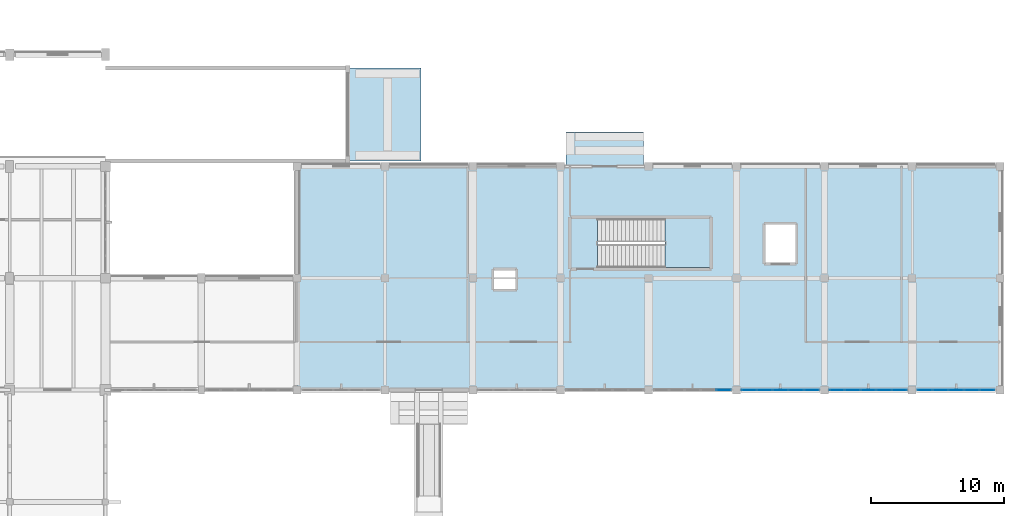
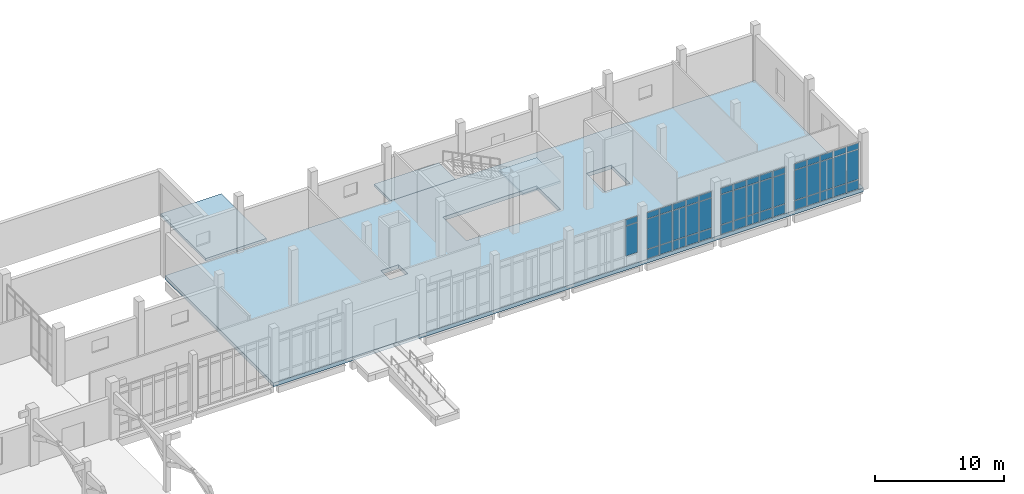
# One storey, part 87 of 110: 47 plates, 4 slabs, 5 elements without a shape of their own.
"""IFC4 building model written with IfcOpenShell, lengths in metres."""

from ifc_helpers import new_model, si_unit, direction, frame, origin, origin_2d, place, context, subcontext, project, spatial, polyline, rectangle, outline, extrude, material, layer, layer_set, type_object, element, aggregate, save


model = new_model("IFC4")

# Units and contexts
model_context = context("Model", 3, precision=1e-05, world=origin(), true_north=direction((0.0, 1.0)))
body_context = subcontext(model_context, "Body", "Model", "MODEL_VIEW")
ifc_project = project(units=[si_unit("LENGTHUNIT", "METRE"), si_unit("AREAUNIT", "SQUARE_METRE"), si_unit("VOLUMEUNIT", "CUBIC_METRE"), si_unit("PLANEANGLEUNIT", "RADIAN"), si_unit("MASSUNIT", "GRAM", prefix="KILO")], contexts=[model_context])

# Site, building, storey
site_placement = place(None, origin())
site = spatial("IfcSite", under=ifc_project, at=site_placement, CompositionType="ELEMENT")
building_placement = place(site_placement, origin())
building = spatial("IfcBuilding", under=site, at=building_placement, Name="Kalluvel Institute of Natural Sciences", CompositionType="ELEMENT")
storey_placement = place(building_placement, origin())
storey = spatial("IfcBuildingStorey", under=building, at=storey_placement, Name="L00", CompositionType="ELEMENT", Elevation=0.0)

# Curtain wall, plates
ifc_material_1 = material(Name="Aluminium AW-6063 T6", Category="aluminium")
curtain_wall_type = type_object("IfcCurtainWallType", Name="CW-CLN-54", PredefinedType="USERDEFINED", material=ifc_material_1)
curtain_wall_1_placement = place(storey_placement, origin())
curtain_wall_1 = element("IfcCurtainWall", 1, at=curtain_wall_1_placement, inside=storey, type_object=curtain_wall_type, Name="L00 Gothic lancet curtain wall CWA-L00-X1560-Y1028", ObjectType="UNITISED LANCET FACADE", PredefinedType="USERDEFINED")
ifc_material_2 = material(Name="Solar-Control Low-E Laminated Glass", Category="glass")
ifc_layer_1 = layer(ifc_material_2, 0.028076171875)
ifc_layer_set_1 = layer_set([ifc_layer_1], Name="Solar-Control Low-E Laminated Glass")
plate_type = type_object("IfcPlateType", Name="CWP-DGU-28", PredefinedType="CURTAIN_PANEL", material=ifc_layer_set_1)
plate_1_placement = place(storey_placement, frame((161.24365234375, 102.800048828125, 0.982421875), z_axis=(0.0, 0.0, 1.0), x_axis=(1.0, 0.0, 0.0)))
plate_1 = element("IfcPlate", 2, at=plate_1_placement, type_object=plate_type, Name="CW-09 panel 5.2", PredefinedType="CURTAIN_PANEL", context=body_context, shape_type="SweptSolid", body=[
    extrude(rectangle(XDim=1.08251953125, YDim=0.028076171875, at=origin_2d()), origin(), (0.0, 0.0, 1.0), 2.81494140625),
])
plate_2_placement = place(storey_placement, frame((161.24365234375, 102.800048828125, 3.8623046875), z_axis=(0.0, 0.0, 1.0), x_axis=(1.0, 0.0, 0.0)))
plate_2 = element("IfcPlate", 3, at=plate_2_placement, type_object=plate_type, Name="CW-09 panel 5.3", PredefinedType="CURTAIN_PANEL", context=body_context, shape_type="SweptSolid", body=[
    extrude(rectangle(XDim=1.08251953125, YDim=0.028076171875, at=origin_2d()), origin(), (0.0, 0.0, 1.0), 0.552490234375),
])
aggregate(curtain_wall_1, [plate_1, plate_2])

curtain_wall_2_placement = place(storey_placement, origin())
curtain_wall_2 = element("IfcCurtainWall", 4, at=curtain_wall_2_placement, inside=storey, type_object=curtain_wall_type, Name="L00 Gothic lancet curtain wall CWA-L00-X1626-Y1028", ObjectType="UNITISED LANCET FACADE", PredefinedType="USERDEFINED")
plate_3_placement = place(storey_placement, frame((163.15625, 102.800048828125, 0.06494140625), z_axis=(0.0, 0.0, 1.0), x_axis=(1.0, 0.0, 0.0)))
plate_3 = element("IfcPlate", 5, at=plate_3_placement, type_object=plate_type, Name="CW-09 panel 1.1", PredefinedType="CURTAIN_PANEL", context=body_context, shape_type="SweptSolid", body=[
    extrude(rectangle(XDim=1.08251953125, YDim=0.028076171875, at=origin_2d()), origin(), (0.0, 0.0, 1.0), 0.8525390625),
])
plate_4_placement = place(storey_placement, frame((163.15625, 102.800048828125, 0.982421875), z_axis=(0.0, 0.0, 1.0), x_axis=(1.0, 0.0, 0.0)))
plate_4 = element("IfcPlate", 6, at=plate_4_placement, type_object=plate_type, Name="CW-09 panel 1.2", PredefinedType="CURTAIN_PANEL", context=body_context, shape_type="SweptSolid", body=[
    extrude(rectangle(XDim=1.08251953125, YDim=0.028076171875, at=origin_2d()), origin(), (0.0, 0.0, 1.0), 2.81494140625),
])
plate_5_placement = place(storey_placement, frame((163.15625, 102.800048828125, 3.8623046875), z_axis=(0.0, 0.0, 1.0), x_axis=(1.0, 0.0, 0.0)))
plate_5 = element("IfcPlate", 7, at=plate_5_placement, type_object=plate_type, Name="CW-09 panel 1.3", PredefinedType="CURTAIN_PANEL", context=body_context, shape_type="SweptSolid", body=[
    extrude(rectangle(XDim=1.08251953125, YDim=0.028076171875, at=origin_2d()), origin(), (0.0, 0.0, 1.0), 0.552490234375),
])
plate_6_placement = place(storey_placement, frame((164.320068359375, 102.800048828125, 0.06494140625), z_axis=(0.0, 0.0, 1.0), x_axis=(1.0, 0.0, 0.0)))
plate_6 = element("IfcPlate", 8, at=plate_6_placement, type_object=plate_type, Name="CW-09 panel 2.1", PredefinedType="CURTAIN_PANEL", context=body_context, shape_type="SweptSolid", body=[
    extrude(rectangle(XDim=1.114990234375, YDim=0.028076171875, at=origin_2d()), origin(), (0.0, 0.0, 1.0), 0.8525390625),
])
plate_7_placement = place(storey_placement, frame((164.320068359375, 102.800048828125, 0.982421875), z_axis=(0.0, 0.0, 1.0), x_axis=(1.0, 0.0, 0.0)))
plate_7 = element("IfcPlate", 9, at=plate_7_placement, type_object=plate_type, Name="CW-09 panel 2.2", PredefinedType="CURTAIN_PANEL", context=body_context, shape_type="SweptSolid", body=[
    extrude(rectangle(XDim=1.114990234375, YDim=0.028076171875, at=origin_2d()), origin(), (0.0, 0.0, 1.0), 2.81494140625),
])
plate_8_placement = place(storey_placement, frame((164.320068359375, 102.800048828125, 3.8623046875), z_axis=(0.0, 0.0, 1.0), x_axis=(1.0, 0.0, 0.0)))
plate_8 = element("IfcPlate", 10, at=plate_8_placement, type_object=plate_type, Name="CW-09 panel 2.3", PredefinedType="CURTAIN_PANEL", context=body_context, shape_type="SweptSolid", body=[
    extrude(rectangle(XDim=1.114990234375, YDim=0.028076171875, at=origin_2d()), origin(), (0.0, 0.0, 1.0), 0.552490234375),
])
plate_9_placement = place(storey_placement, frame((165.5, 102.800048828125, 0.06494140625), z_axis=(0.0, 0.0, 1.0), x_axis=(1.0, 0.0, 0.0)))
plate_9 = element("IfcPlate", 11, at=plate_9_placement, type_object=plate_type, Name="CW-09 panel 3.1", PredefinedType="CURTAIN_PANEL", context=body_context, shape_type="SweptSolid", body=[
    extrude(rectangle(XDim=1.114990234375, YDim=0.028076171875, at=origin_2d()), origin(), (0.0, 0.0, 1.0), 0.8525390625),
])
plate_10_placement = place(storey_placement, frame((165.5, 102.800048828125, 0.982421875), z_axis=(0.0, 0.0, 1.0), x_axis=(1.0, 0.0, 0.0)))
plate_10 = element("IfcPlate", 12, at=plate_10_placement, type_object=plate_type, Name="CW-09 panel 3.2", PredefinedType="CURTAIN_PANEL", context=body_context, shape_type="SweptSolid", body=[
    extrude(rectangle(XDim=1.114990234375, YDim=0.028076171875, at=origin_2d()), origin(), (0.0, 0.0, 1.0), 2.81494140625),
])
plate_11_placement = place(storey_placement, frame((165.5, 102.800048828125, 3.8623046875), z_axis=(0.0, 0.0, 1.0), x_axis=(1.0, 0.0, 0.0)))
plate_11 = element("IfcPlate", 13, at=plate_11_placement, type_object=plate_type, Name="CW-09 panel 3.3", PredefinedType="CURTAIN_PANEL", context=body_context, shape_type="SweptSolid", body=[
    extrude(rectangle(XDim=1.114990234375, YDim=0.028076171875, at=origin_2d()), origin(), (0.0, 0.0, 1.0), 0.552490234375),
])
plate_12_placement = place(storey_placement, frame((166.679931640625, 102.800048828125, 0.06494140625), z_axis=(0.0, 0.0, 1.0), x_axis=(1.0, 0.0, 0.0)))
plate_12 = element("IfcPlate", 14, at=plate_12_placement, type_object=plate_type, Name="CW-09 panel 4.1", PredefinedType="CURTAIN_PANEL", context=body_context, shape_type="SweptSolid", body=[
    extrude(rectangle(XDim=1.114990234375, YDim=0.028076171875, at=origin_2d()), origin(), (0.0, 0.0, 1.0), 0.8525390625),
])
plate_13_placement = place(storey_placement, frame((166.679931640625, 102.800048828125, 0.982421875), z_axis=(0.0, 0.0, 1.0), x_axis=(1.0, 0.0, 0.0)))
plate_13 = element("IfcPlate", 15, at=plate_13_placement, type_object=plate_type, Name="CW-09 panel 4.2", PredefinedType="CURTAIN_PANEL", context=body_context, shape_type="SweptSolid", body=[
    extrude(rectangle(XDim=1.114990234375, YDim=0.028076171875, at=origin_2d()), origin(), (0.0, 0.0, 1.0), 2.81494140625),
])
plate_14_placement = place(storey_placement, frame((166.679931640625, 102.800048828125, 3.8623046875), z_axis=(0.0, 0.0, 1.0), x_axis=(1.0, 0.0, 0.0)))
plate_14 = element("IfcPlate", 16, at=plate_14_placement, type_object=plate_type, Name="CW-09 panel 4.3", PredefinedType="CURTAIN_PANEL", context=body_context, shape_type="SweptSolid", body=[
    extrude(rectangle(XDim=1.114990234375, YDim=0.028076171875, at=origin_2d()), origin(), (0.0, 0.0, 1.0), 0.552490234375),
])
plate_15_placement = place(storey_placement, frame((167.84375, 102.800048828125, 0.06494140625), z_axis=(0.0, 0.0, 1.0), x_axis=(1.0, 0.0, 0.0)))
plate_15 = element("IfcPlate", 17, at=plate_15_placement, type_object=plate_type, Name="CW-09 panel 5.1", PredefinedType="CURTAIN_PANEL", context=body_context, shape_type="SweptSolid", body=[
    extrude(rectangle(XDim=1.08251953125, YDim=0.028076171875, at=origin_2d()), origin(), (0.0, 0.0, 1.0), 0.8525390625),
])
plate_16_placement = place(storey_placement, frame((167.84375, 102.800048828125, 0.982421875), z_axis=(0.0, 0.0, 1.0), x_axis=(1.0, 0.0, 0.0)))
plate_16 = element("IfcPlate", 18, at=plate_16_placement, type_object=plate_type, Name="CW-09 panel 5.2", PredefinedType="CURTAIN_PANEL", context=body_context, shape_type="SweptSolid", body=[
    extrude(rectangle(XDim=1.08251953125, YDim=0.028076171875, at=origin_2d()), origin(), (0.0, 0.0, 1.0), 2.81494140625),
])
plate_17_placement = place(storey_placement, frame((167.84375, 102.800048828125, 3.8623046875), z_axis=(0.0, 0.0, 1.0), x_axis=(1.0, 0.0, 0.0)))
plate_17 = element("IfcPlate", 19, at=plate_17_placement, type_object=plate_type, Name="CW-09 panel 5.3", PredefinedType="CURTAIN_PANEL", context=body_context, shape_type="SweptSolid", body=[
    extrude(rectangle(XDim=1.08251953125, YDim=0.028076171875, at=origin_2d()), origin(), (0.0, 0.0, 1.0), 0.552490234375),
])
aggregate(curtain_wall_2, [plate_3, plate_4, plate_5, plate_6, plate_7, plate_8, plate_9, plate_10, plate_11, plate_12, plate_13, plate_14, plate_15, plate_16, plate_17])

curtain_wall_3_placement = place(storey_placement, origin())
curtain_wall_3 = element("IfcCurtainWall", 20, at=curtain_wall_3_placement, inside=storey, type_object=curtain_wall_type, Name="L00 Gothic lancet curtain wall CWA-L00-X1692-Y1028", ObjectType="UNITISED LANCET FACADE", PredefinedType="USERDEFINED")
plate_18_placement = place(storey_placement, frame((169.75634765625, 102.800048828125, 0.06494140625), z_axis=(0.0, 0.0, 1.0), x_axis=(1.0, 0.0, 0.0)))
plate_18 = element("IfcPlate", 21, at=plate_18_placement, type_object=plate_type, Name="CW-09 panel 1.1", PredefinedType="CURTAIN_PANEL", context=body_context, shape_type="SweptSolid", body=[
    extrude(rectangle(XDim=1.08251953125, YDim=0.028076171875, at=origin_2d()), origin(), (0.0, 0.0, 1.0), 0.8525390625),
])
plate_19_placement = place(storey_placement, frame((169.75634765625, 102.800048828125, 0.982421875), z_axis=(0.0, 0.0, 1.0), x_axis=(1.0, 0.0, 0.0)))
plate_19 = element("IfcPlate", 22, at=plate_19_placement, type_object=plate_type, Name="CW-09 panel 1.2", PredefinedType="CURTAIN_PANEL", context=body_context, shape_type="SweptSolid", body=[
    extrude(rectangle(XDim=1.08251953125, YDim=0.028076171875, at=origin_2d()), origin(), (0.0, 0.0, 1.0), 2.81494140625),
])
plate_20_placement = place(storey_placement, frame((169.75634765625, 102.800048828125, 3.8623046875), z_axis=(0.0, 0.0, 1.0), x_axis=(1.0, 0.0, 0.0)))
plate_20 = element("IfcPlate", 23, at=plate_20_placement, type_object=plate_type, Name="CW-09 panel 1.3", PredefinedType="CURTAIN_PANEL", context=body_context, shape_type="SweptSolid", body=[
    extrude(rectangle(XDim=1.08251953125, YDim=0.028076171875, at=origin_2d()), origin(), (0.0, 0.0, 1.0), 0.552490234375),
])
plate_21_placement = place(storey_placement, frame((170.919921875, 102.800048828125, 0.06494140625), z_axis=(0.0, 0.0, 1.0), x_axis=(1.0, 0.0, 0.0)))
plate_21 = element("IfcPlate", 24, at=plate_21_placement, type_object=plate_type, Name="CW-09 panel 2.1", PredefinedType="CURTAIN_PANEL", context=body_context, shape_type="SweptSolid", body=[
    extrude(rectangle(XDim=1.114990234375, YDim=0.028076171875, at=origin_2d()), origin(), (0.0, 0.0, 1.0), 0.8525390625),
])
plate_22_placement = place(storey_placement, frame((170.919921875, 102.800048828125, 0.982421875), z_axis=(0.0, 0.0, 1.0), x_axis=(1.0, 0.0, 0.0)))
plate_22 = element("IfcPlate", 25, at=plate_22_placement, type_object=plate_type, Name="CW-09 panel 2.2", PredefinedType="CURTAIN_PANEL", context=body_context, shape_type="SweptSolid", body=[
    extrude(rectangle(XDim=1.114990234375, YDim=0.028076171875, at=origin_2d()), origin(), (0.0, 0.0, 1.0), 2.81494140625),
])
plate_23_placement = place(storey_placement, frame((170.919921875, 102.800048828125, 3.8623046875), z_axis=(0.0, 0.0, 1.0), x_axis=(1.0, 0.0, 0.0)))
plate_23 = element("IfcPlate", 26, at=plate_23_placement, type_object=plate_type, Name="CW-09 panel 2.3", PredefinedType="CURTAIN_PANEL", context=body_context, shape_type="SweptSolid", body=[
    extrude(rectangle(XDim=1.114990234375, YDim=0.028076171875, at=origin_2d()), origin(), (0.0, 0.0, 1.0), 0.552490234375),
])
plate_24_placement = place(storey_placement, frame((172.10009765625, 102.800048828125, 0.06494140625), z_axis=(0.0, 0.0, 1.0), x_axis=(1.0, 0.0, 0.0)))
plate_24 = element("IfcPlate", 27, at=plate_24_placement, type_object=plate_type, Name="CW-09 panel 3.1", PredefinedType="CURTAIN_PANEL", context=body_context, shape_type="SweptSolid", body=[
    extrude(rectangle(XDim=1.114990234375, YDim=0.028076171875, at=origin_2d()), origin(), (0.0, 0.0, 1.0), 0.8525390625),
])
plate_25_placement = place(storey_placement, frame((172.10009765625, 102.800048828125, 0.982421875), z_axis=(0.0, 0.0, 1.0), x_axis=(1.0, 0.0, 0.0)))
plate_25 = element("IfcPlate", 28, at=plate_25_placement, type_object=plate_type, Name="CW-09 panel 3.2", PredefinedType="CURTAIN_PANEL", context=body_context, shape_type="SweptSolid", body=[
    extrude(rectangle(XDim=1.114990234375, YDim=0.028076171875, at=origin_2d()), origin(), (0.0, 0.0, 1.0), 2.81494140625),
])
plate_26_placement = place(storey_placement, frame((172.10009765625, 102.800048828125, 3.8623046875), z_axis=(0.0, 0.0, 1.0), x_axis=(1.0, 0.0, 0.0)))
plate_26 = element("IfcPlate", 29, at=plate_26_placement, type_object=plate_type, Name="CW-09 panel 3.3", PredefinedType="CURTAIN_PANEL", context=body_context, shape_type="SweptSolid", body=[
    extrude(rectangle(XDim=1.114990234375, YDim=0.028076171875, at=origin_2d()), origin(), (0.0, 0.0, 1.0), 0.552490234375),
])
plate_27_placement = place(storey_placement, frame((173.280029296875, 102.800048828125, 0.06494140625), z_axis=(0.0, 0.0, 1.0), x_axis=(1.0, 0.0, 0.0)))
plate_27 = element("IfcPlate", 30, at=plate_27_placement, type_object=plate_type, Name="CW-09 panel 4.1", PredefinedType="CURTAIN_PANEL", context=body_context, shape_type="SweptSolid", body=[
    extrude(rectangle(XDim=1.114990234375, YDim=0.028076171875, at=origin_2d()), origin(), (0.0, 0.0, 1.0), 0.8525390625),
])
plate_28_placement = place(storey_placement, frame((173.280029296875, 102.800048828125, 0.982421875), z_axis=(0.0, 0.0, 1.0), x_axis=(1.0, 0.0, 0.0)))
plate_28 = element("IfcPlate", 31, at=plate_28_placement, type_object=plate_type, Name="CW-09 panel 4.2", PredefinedType="CURTAIN_PANEL", context=body_context, shape_type="SweptSolid", body=[
    extrude(rectangle(XDim=1.114990234375, YDim=0.028076171875, at=origin_2d()), origin(), (0.0, 0.0, 1.0), 2.81494140625),
])
plate_29_placement = place(storey_placement, frame((173.280029296875, 102.800048828125, 3.8623046875), z_axis=(0.0, 0.0, 1.0), x_axis=(1.0, 0.0, 0.0)))
plate_29 = element("IfcPlate", 32, at=plate_29_placement, type_object=plate_type, Name="CW-09 panel 4.3", PredefinedType="CURTAIN_PANEL", context=body_context, shape_type="SweptSolid", body=[
    extrude(rectangle(XDim=1.114990234375, YDim=0.028076171875, at=origin_2d()), origin(), (0.0, 0.0, 1.0), 0.552490234375),
])
plate_30_placement = place(storey_placement, frame((174.44384765625, 102.800048828125, 0.06494140625), z_axis=(0.0, 0.0, 1.0), x_axis=(1.0, 0.0, 0.0)))
plate_30 = element("IfcPlate", 33, at=plate_30_placement, type_object=plate_type, Name="CW-09 panel 5.1", PredefinedType="CURTAIN_PANEL", context=body_context, shape_type="SweptSolid", body=[
    extrude(rectangle(XDim=1.08251953125, YDim=0.028076171875, at=origin_2d()), origin(), (0.0, 0.0, 1.0), 0.8525390625),
])
plate_31_placement = place(storey_placement, frame((174.44384765625, 102.800048828125, 0.982421875), z_axis=(0.0, 0.0, 1.0), x_axis=(1.0, 0.0, 0.0)))
plate_31 = element("IfcPlate", 34, at=plate_31_placement, type_object=plate_type, Name="CW-09 panel 5.2", PredefinedType="CURTAIN_PANEL", context=body_context, shape_type="SweptSolid", body=[
    extrude(rectangle(XDim=1.08251953125, YDim=0.028076171875, at=origin_2d()), origin(), (0.0, 0.0, 1.0), 2.81494140625),
])
plate_32_placement = place(storey_placement, frame((174.44384765625, 102.800048828125, 3.8623046875), z_axis=(0.0, 0.0, 1.0), x_axis=(1.0, 0.0, 0.0)))
plate_32 = element("IfcPlate", 35, at=plate_32_placement, type_object=plate_type, Name="CW-09 panel 5.3", PredefinedType="CURTAIN_PANEL", context=body_context, shape_type="SweptSolid", body=[
    extrude(rectangle(XDim=1.08251953125, YDim=0.028076171875, at=origin_2d()), origin(), (0.0, 0.0, 1.0), 0.552490234375),
])
aggregate(curtain_wall_3, [plate_18, plate_19, plate_20, plate_21, plate_22, plate_23, plate_24, plate_25, plate_26, plate_27, plate_28, plate_29, plate_30, plate_31, plate_32])

curtain_wall_4_placement = place(storey_placement, origin())
curtain_wall_4 = element("IfcCurtainWall", 36, at=curtain_wall_4_placement, inside=storey, type_object=curtain_wall_type, Name="L00 Gothic lancet curtain wall CWA-L00-X1758-Y1028", ObjectType="UNITISED LANCET FACADE", PredefinedType="USERDEFINED")
plate_33_placement = place(storey_placement, frame((176.356201171875, 102.800048828125, 0.06494140625), z_axis=(0.0, 0.0, 1.0), x_axis=(1.0, 0.0, 0.0)))
plate_33 = element("IfcPlate", 37, at=plate_33_placement, type_object=plate_type, Name="CW-09 panel 1.1", PredefinedType="CURTAIN_PANEL", context=body_context, shape_type="SweptSolid", body=[
    extrude(rectangle(XDim=1.08251953125, YDim=0.028076171875, at=origin_2d()), origin(), (0.0, 0.0, 1.0), 0.8525390625),
])
plate_34_placement = place(storey_placement, frame((176.356201171875, 102.800048828125, 0.982421875), z_axis=(0.0, 0.0, 1.0), x_axis=(1.0, 0.0, 0.0)))
plate_34 = element("IfcPlate", 38, at=plate_34_placement, type_object=plate_type, Name="CW-09 panel 1.2", PredefinedType="CURTAIN_PANEL", context=body_context, shape_type="SweptSolid", body=[
    extrude(rectangle(XDim=1.08251953125, YDim=0.028076171875, at=origin_2d()), origin(), (0.0, 0.0, 1.0), 2.81494140625),
])
plate_35_placement = place(storey_placement, frame((176.356201171875, 102.800048828125, 3.8623046875), z_axis=(0.0, 0.0, 1.0), x_axis=(1.0, 0.0, 0.0)))
plate_35 = element("IfcPlate", 39, at=plate_35_placement, type_object=plate_type, Name="CW-09 panel 1.3", PredefinedType="CURTAIN_PANEL", context=body_context, shape_type="SweptSolid", body=[
    extrude(rectangle(XDim=1.08251953125, YDim=0.028076171875, at=origin_2d()), origin(), (0.0, 0.0, 1.0), 0.552490234375),
])
plate_36_placement = place(storey_placement, frame((177.52001953125, 102.800048828125, 0.06494140625), z_axis=(0.0, 0.0, 1.0), x_axis=(1.0, 0.0, 0.0)))
plate_36 = element("IfcPlate", 40, at=plate_36_placement, type_object=plate_type, Name="CW-09 panel 2.1", PredefinedType="CURTAIN_PANEL", context=body_context, shape_type="SweptSolid", body=[
    extrude(rectangle(XDim=1.114990234375, YDim=0.028076171875, at=origin_2d()), origin(), (0.0, 0.0, 1.0), 0.8525390625),
])
plate_37_placement = place(storey_placement, frame((177.52001953125, 102.800048828125, 0.982421875), z_axis=(0.0, 0.0, 1.0), x_axis=(1.0, 0.0, 0.0)))
plate_37 = element("IfcPlate", 41, at=plate_37_placement, type_object=plate_type, Name="CW-09 panel 2.2", PredefinedType="CURTAIN_PANEL", context=body_context, shape_type="SweptSolid", body=[
    extrude(rectangle(XDim=1.114990234375, YDim=0.028076171875, at=origin_2d()), origin(), (0.0, 0.0, 1.0), 2.81494140625),
])
plate_38_placement = place(storey_placement, frame((177.52001953125, 102.800048828125, 3.8623046875), z_axis=(0.0, 0.0, 1.0), x_axis=(1.0, 0.0, 0.0)))
plate_38 = element("IfcPlate", 42, at=plate_38_placement, type_object=plate_type, Name="CW-09 panel 2.3", PredefinedType="CURTAIN_PANEL", context=body_context, shape_type="SweptSolid", body=[
    extrude(rectangle(XDim=1.114990234375, YDim=0.028076171875, at=origin_2d()), origin(), (0.0, 0.0, 1.0), 0.552490234375),
])
plate_39_placement = place(storey_placement, frame((178.699951171875, 102.800048828125, 0.06494140625), z_axis=(0.0, 0.0, 1.0), x_axis=(1.0, 0.0, 0.0)))
plate_39 = element("IfcPlate", 43, at=plate_39_placement, type_object=plate_type, Name="CW-09 panel 3.1", PredefinedType="CURTAIN_PANEL", context=body_context, shape_type="SweptSolid", body=[
    extrude(rectangle(XDim=1.114990234375, YDim=0.028076171875, at=origin_2d()), origin(), (0.0, 0.0, 1.0), 0.8525390625),
])
plate_40_placement = place(storey_placement, frame((178.699951171875, 102.800048828125, 0.982421875), z_axis=(0.0, 0.0, 1.0), x_axis=(1.0, 0.0, 0.0)))
plate_40 = element("IfcPlate", 44, at=plate_40_placement, type_object=plate_type, Name="CW-09 panel 3.2", PredefinedType="CURTAIN_PANEL", context=body_context, shape_type="SweptSolid", body=[
    extrude(rectangle(XDim=1.114990234375, YDim=0.028076171875, at=origin_2d()), origin(), (0.0, 0.0, 1.0), 2.81494140625),
])
plate_41_placement = place(storey_placement, frame((178.699951171875, 102.800048828125, 3.8623046875), z_axis=(0.0, 0.0, 1.0), x_axis=(1.0, 0.0, 0.0)))
plate_41 = element("IfcPlate", 45, at=plate_41_placement, type_object=plate_type, Name="CW-09 panel 3.3", PredefinedType="CURTAIN_PANEL", context=body_context, shape_type="SweptSolid", body=[
    extrude(rectangle(XDim=1.114990234375, YDim=0.028076171875, at=origin_2d()), origin(), (0.0, 0.0, 1.0), 0.552490234375),
])
plate_42_placement = place(storey_placement, frame((179.8798828125, 102.800048828125, 0.06494140625), z_axis=(0.0, 0.0, 1.0), x_axis=(1.0, 0.0, 0.0)))
plate_42 = element("IfcPlate", 46, at=plate_42_placement, type_object=plate_type, Name="CW-09 panel 4.1", PredefinedType="CURTAIN_PANEL", context=body_context, shape_type="SweptSolid", body=[
    extrude(rectangle(XDim=1.114990234375, YDim=0.028076171875, at=origin_2d()), origin(), (0.0, 0.0, 1.0), 0.8525390625),
])
plate_43_placement = place(storey_placement, frame((179.8798828125, 102.800048828125, 0.982421875), z_axis=(0.0, 0.0, 1.0), x_axis=(1.0, 0.0, 0.0)))
plate_43 = element("IfcPlate", 47, at=plate_43_placement, type_object=plate_type, Name="CW-09 panel 4.2", PredefinedType="CURTAIN_PANEL", context=body_context, shape_type="SweptSolid", body=[
    extrude(rectangle(XDim=1.114990234375, YDim=0.028076171875, at=origin_2d()), origin(), (0.0, 0.0, 1.0), 2.81494140625),
])
plate_44_placement = place(storey_placement, frame((179.8798828125, 102.800048828125, 3.8623046875), z_axis=(0.0, 0.0, 1.0), x_axis=(1.0, 0.0, 0.0)))
plate_44 = element("IfcPlate", 48, at=plate_44_placement, type_object=plate_type, Name="CW-09 panel 4.3", PredefinedType="CURTAIN_PANEL", context=body_context, shape_type="SweptSolid", body=[
    extrude(rectangle(XDim=1.114990234375, YDim=0.028076171875, at=origin_2d()), origin(), (0.0, 0.0, 1.0), 0.552490234375),
])
plate_45_placement = place(storey_placement, frame((181.043701171875, 102.800048828125, 0.06494140625), z_axis=(0.0, 0.0, 1.0), x_axis=(1.0, 0.0, 0.0)))
plate_45 = element("IfcPlate", 49, at=plate_45_placement, type_object=plate_type, Name="CW-09 panel 5.1", PredefinedType="CURTAIN_PANEL", context=body_context, shape_type="SweptSolid", body=[
    extrude(rectangle(XDim=1.08251953125, YDim=0.028076171875, at=origin_2d()), origin(), (0.0, 0.0, 1.0), 0.8525390625),
])
plate_46_placement = place(storey_placement, frame((181.043701171875, 102.800048828125, 0.982421875), z_axis=(0.0, 0.0, 1.0), x_axis=(1.0, 0.0, 0.0)))
plate_46 = element("IfcPlate", 50, at=plate_46_placement, type_object=plate_type, Name="CW-09 panel 5.2", PredefinedType="CURTAIN_PANEL", context=body_context, shape_type="SweptSolid", body=[
    extrude(rectangle(XDim=1.08251953125, YDim=0.028076171875, at=origin_2d()), origin(), (0.0, 0.0, 1.0), 2.81494140625),
])
plate_47_placement = place(storey_placement, frame((181.043701171875, 102.800048828125, 3.8623046875), z_axis=(0.0, 0.0, 1.0), x_axis=(1.0, 0.0, 0.0)))
plate_47 = element("IfcPlate", 51, at=plate_47_placement, type_object=plate_type, Name="CW-09 panel 5.3", PredefinedType="CURTAIN_PANEL", context=body_context, shape_type="SweptSolid", body=[
    extrude(rectangle(XDim=1.08251953125, YDim=0.028076171875, at=origin_2d()), origin(), (0.0, 0.0, 1.0), 0.552490234375),
])
aggregate(curtain_wall_4, [plate_33, plate_34, plate_35, plate_36, plate_37, plate_38, plate_39, plate_40, plate_41, plate_42, plate_43, plate_44, plate_45, plate_46, plate_47])

# Slabs
ifc_material_3 = material(Name="Sadarahalli Grey Granite Ashlar Concrete M40", Category="masonry")
ifc_layer_2 = layer(ifc_material_3, 0.239990234375)
ifc_layer_set_2 = layer_set([ifc_layer_2], Name="Sadarahalli Grey Granite Ashlar Concrete M40")
slab_type_1 = type_object("IfcSlabType", Name="SLB-APR-240", PredefinedType="FLOOR", material=ifc_layer_set_2)
slab_1_placement = place(storey_placement, frame((0.0, 0.0, -0.239990234375)))
element("IfcSlab", 52, at=slab_1_placement, inside=storey, type_object=slab_type_1, Name="Ground entrance granite threshold apron VD01", PredefinedType="FLOOR", context=body_context, shape_type="SweptSolid", body=[
    extrude(outline(polyline([(133.06005859375, 120.0), (138.5, 120.0), (138.5, 127.0), (133.06005859375, 127.0), (133.06005859375, 120.0)])), origin(), (0.0, 0.0, 1.0), 0.239990234375),
])
slab_2_placement = place(storey_placement, frame((0.0, 0.0, -0.239990234375)))
element("IfcSlab", 53, at=slab_2_placement, inside=storey, type_object=slab_type_1, Name="Ground entrance granite threshold apron E9", PredefinedType="FLOOR", context=body_context, shape_type="SweptSolid", body=[
    extrude(outline(polyline([(149.39990234375, 119.60009765625), (155.199951171875, 119.60009765625), (155.199951171875, 122.199951171875), (149.39990234375, 122.199951171875), (149.39990234375, 119.60009765625)])), origin(), (0.0, 0.0, 1.0), 0.239990234375),
])
ifc_material_4 = material(Name="Concrete M50", Category="concrete")
ifc_layer_3 = layer(ifc_material_4, 0.360107421875)
ifc_layer_set_3 = layer_set([ifc_layer_3], Name="Concrete M50")
slab_type_2 = type_object("IfcSlabType", Name="SLB-CLN-360", PredefinedType="FLOOR", material=ifc_layer_set_3)
slab_3_placement = place(storey_placement, frame((0.0, 0.0, -0.360107421875)))
element("IfcSlab", 54, at=slab_3_placement, inside=storey, type_object=slab_type_2, Name="L00 Vibration-Isolated Cleanroom Waffle Slab", PredefinedType="FLOOR", context=body_context, shape_type="SweptSolid", body=[
    extrude(outline(polyline([(129.199951171875, 102.800048828125), (182.0, 102.800048828125), (182.0, 119.60009765625), (129.199951171875, 119.60009765625), (129.199951171875, 102.800048828125)]), holes=[polyline([(166.6201171875, 115.219970703125), (166.6201171875, 112.3798828125), (164.3798828125, 112.3798828125), (164.3798828125, 115.219970703125), (166.6201171875, 115.219970703125)]), polyline([(160.199951171875, 115.669921875), (160.199951171875, 112.0), (151.76806640625, 112.0), (151.76806640625, 115.669921875), (160.199951171875, 115.669921875)]), polyline([(144.0, 111.800048828125), (145.60009765625, 111.800048828125), (145.60009765625, 110.39990234375), (144.0, 110.39990234375), (144.0, 111.800048828125)])]), origin(), (0.0, 0.0, 1.0), 0.360107421875),
])

# Stair, slab
ifc_material_5 = material(Name="Concrete M40", Category="concrete")
stair_type = type_object("IfcStairType", Name="STR-ST5-54", PredefinedType="HALF_TURN_STAIR", material=ifc_material_5)
stair_placement = place(storey_placement, origin())
stair = element("IfcStair", 55, at=stair_placement, inside=storey, type_object=stair_type, Name="L00 Cleanroom Pavilion Exit Stair ST5", PredefinedType="HALF_TURN_STAIR")
ifc_layer_4 = layer(ifc_material_5, 0.199951171875)
ifc_layer_set_4 = layer_set([ifc_layer_4], Name="Concrete M40")
slab_type_3 = type_object("IfcSlabType", Name="SLD-ST5", PredefinedType="LANDING", material=ifc_layer_set_4)
slab_4_placement = place(storey_placement, frame((0.0, 0.0, 2.5)))
slab_4 = element("IfcSlab", 56, at=slab_4_placement, type_object=slab_type_3, Name="S5-54 landing 1", PredefinedType="LANDING", context=body_context, shape_type="SweptSolid", body=[
    extrude(outline(polyline([(156.83203125, 112.0), (160.199951171875, 112.0), (160.199951171875, 115.669921875), (156.83203125, 115.669921875), (156.83203125, 112.0)])), origin(), (0.0, 0.0, 1.0), 0.199951171875),
])
aggregate(stair, [slab_4])

save(model, "model.ifc")
